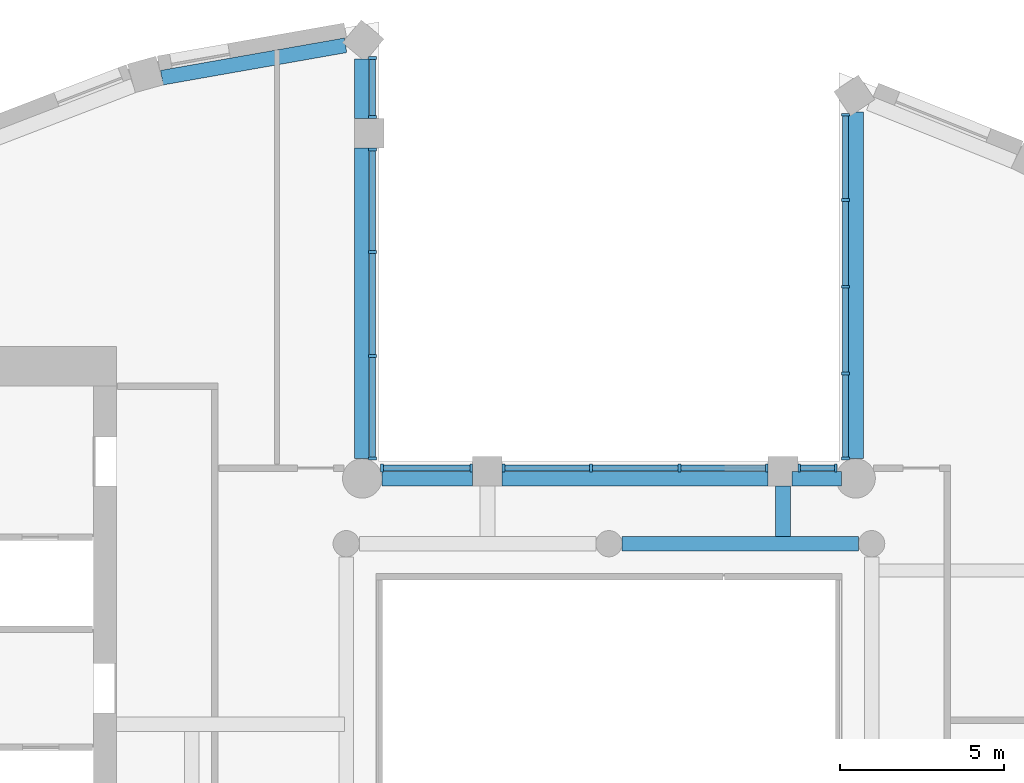
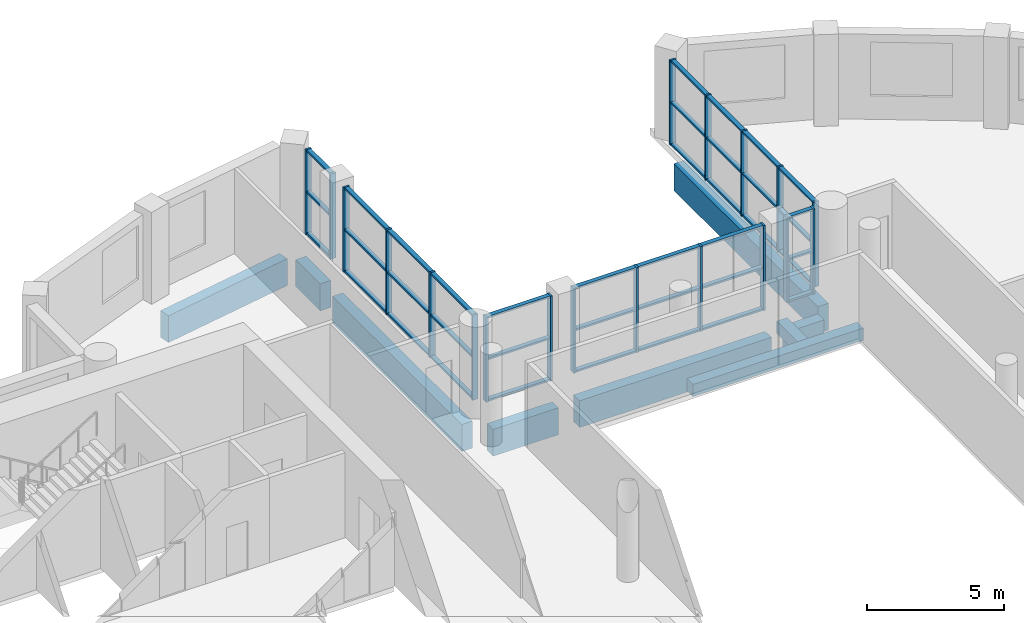
# One storey, part 2 of 15: 58 members, 9 beams, 6 elements without a shape of their own.
"""IFC4 building model written with IfcOpenShell, lengths in metres."""

from ifc_helpers import new_model, si_unit, direction, frame, origin, origin_2d, place, context, subcontext, project, spatial, rectangle, extrude, material, material_profile, profile_set, type_object, element, aggregate, save


model = new_model("IFC4")

# Units and contexts
model_context = context("Model", 3, precision=1e-05, world=origin(), true_north=direction((0.0, 1.0)))
body_context = subcontext(model_context, "Body", "Model", "MODEL_VIEW")
ifc_project = project(units=[si_unit("LENGTHUNIT", "METRE"), si_unit("AREAUNIT", "SQUARE_METRE"), si_unit("VOLUMEUNIT", "CUBIC_METRE"), si_unit("PLANEANGLEUNIT", "RADIAN"), si_unit("MASSUNIT", "GRAM", prefix="KILO")], contexts=[model_context])

# Site, building, storey
site_placement = place(None, origin())
site = spatial("IfcSite", under=ifc_project, at=site_placement, CompositionType="ELEMENT")
building_placement = place(site_placement, origin())
building = spatial("IfcBuilding", under=site, at=building_placement, Name="Cypress Arch Tower", CompositionType="ELEMENT")
storey_placement = place(building_placement, frame((0.0, 0.0, 313.10009765625)))
storey = spatial("IfcBuildingStorey", under=building, at=storey_placement, Name="L71", CompositionType="ELEMENT", Elevation=313.10009765625)

# Beams
ifc_material_1 = material(Name="Concrete C50/60", Category="concrete")
ifc_material_profile_1 = material_profile(ifc_material_1, rectangle(XDim=0.449951171875, YDim=0.550048828125, at=origin_2d()), Name="RC 450x550")
ifc_profile_set_1 = profile_set([ifc_material_profile_1], Name="Concrete C50/60")
beam_type_1 = type_object("IfcBeamType", Name="Floor beam RC 450x550 Concrete C50/60", PredefinedType="BEAM", material=ifc_profile_set_1)
beam_1_placement = place(storey_placement, frame((1.39990234375, 10.0, -0.5751953125), z_axis=(1.0, 0.0, 0.0), x_axis=(0.0, 1.0, 0.0)))
element("IfcBeam", 1, at=beam_1_placement, inside=storey, type_object=beam_type_1, Name="Floor beam L71 RB008", PredefinedType="BEAM", context=body_context, shape_type="SweptSolid", body=[
    extrude(rectangle(XDim=0.449951171875, YDim=0.550048828125, at=origin_2d()), origin(), (0.0, 0.0, 1.0), 7.2001953125),
])
beam_2_placement = place(storey_placement, frame((6.300048828125, 10.22509765625, -0.5751953125), z_axis=(0.0, 1.0, 0.0), x_axis=(-1.0, 0.0, 0.0)))
element("IfcBeam", 2, at=beam_2_placement, inside=storey, type_object=beam_type_1, Name="Floor beam L71 FB013", PredefinedType="BEAM", context=body_context, shape_type="SweptSolid", body=[
    extrude(rectangle(XDim=0.449951171875, YDim=0.550048828125, at=origin_2d()), origin(), (0.0, 0.0, 1.0), 1.52490234375),
])

# Curtain wall, members
ifc_material_2 = material(Name="Anodised aluminium, bronze finish, clear laminated double glazing", Category="aluminium")
curtain_wall_type = type_object("IfcCurtainWallType", Name="Curtain wall CW7 slot glazing", PredefinedType="NOTDEFINED", material=ifc_material_2)
curtain_wall_1_placement = place(storey_placement, origin())
curtain_wall_1 = element("IfcCurtainWall", 3, at=curtain_wall_1_placement, inside=storey, type_object=curtain_wall_type, Name="Curtain wall L71 slot C00.0", PredefinedType="NOTDEFINED")
ifc_material_3 = material(Name="Anodised aluminium, bronze finish", Category="aluminium")
ifc_material_profile_2 = material_profile(ifc_material_3, rectangle(XDim=0.239990234375, YDim=0.0849609375, at=origin_2d()), Name="Mullion 85x240")
ifc_profile_set_2 = profile_set([ifc_material_profile_2], Name="Anodised aluminium, bronze finish")
member_type_1 = type_object("IfcMemberType", Name="Mullion CW7 85x240", PredefinedType="MULLION", material=ifc_profile_set_2)
member_1_placement = place(storey_placement, frame((8.199951171875, 23.060302734375, 0.0), z_axis=(0.0, 0.0, 1.0), x_axis=(1.0, 0.0, 0.0)))
member_1 = element("IfcMember", 4, at=member_1_placement, type_object=member_type_1, Name="CW7 mullion 1", PredefinedType="MULLION", context=body_context, shape_type="SweptSolid", body=[
    extrude(rectangle(XDim=0.239990234375, YDim=0.0849609375, at=origin_2d()), origin(), (0.0, 0.0, 1.0), 3.7998046875),
])
member_2_placement = place(storey_placement, frame((8.199951171875, 20.464111328125, 0.0), z_axis=(0.0, 0.0, 1.0), x_axis=(1.0, 0.0, 0.0)))
member_2 = element("IfcMember", 5, at=member_2_placement, type_object=member_type_1, Name="CW7 mullion 2", PredefinedType="MULLION", context=body_context, shape_type="SweptSolid", body=[
    extrude(rectangle(XDim=0.239990234375, YDim=0.0849609375, at=origin_2d()), origin(), (0.0, 0.0, 1.0), 3.7998046875),
])
member_3_placement = place(storey_placement, frame((8.199951171875, 17.82568359375, 0.0), z_axis=(0.0, 0.0, 1.0), x_axis=(1.0, 0.0, 0.0)))
member_3 = element("IfcMember", 6, at=member_3_placement, type_object=member_type_1, Name="CW7 mullion 3", PredefinedType="MULLION", context=body_context, shape_type="SweptSolid", body=[
    extrude(rectangle(XDim=0.239990234375, YDim=0.0849609375, at=origin_2d()), origin(), (0.0, 0.0, 1.0), 3.7998046875),
])
member_4_placement = place(storey_placement, frame((8.199951171875, 15.18701171875, 0.0), z_axis=(0.0, 0.0, 1.0), x_axis=(1.0, 0.0, 0.0)))
member_4 = element("IfcMember", 7, at=member_4_placement, type_object=member_type_1, Name="CW7 mullion 4", PredefinedType="MULLION", context=body_context, shape_type="SweptSolid", body=[
    extrude(rectangle(XDim=0.239990234375, YDim=0.0849609375, at=origin_2d()), origin(), (0.0, 0.0, 1.0), 3.7998046875),
])
member_5_placement = place(storey_placement, frame((8.199951171875, 12.591064453125, 0.0), z_axis=(0.0, 0.0, 1.0), x_axis=(1.0, 0.0, 0.0)))
member_5 = element("IfcMember", 8, at=member_5_placement, type_object=member_type_1, Name="CW7 mullion 5", PredefinedType="MULLION", context=body_context, shape_type="SweptSolid", body=[
    extrude(rectangle(XDim=0.239990234375, YDim=0.0849609375, at=origin_2d()), origin(), (0.0, 0.0, 1.0), 3.7998046875),
])

curtain_wall_2_placement = place(storey_placement, origin())
curtain_wall_2 = element("IfcCurtainWall", 9, at=curtain_wall_2_placement, inside=storey, type_object=curtain_wall_type, Name="Curtain wall L71 slot C01.0", PredefinedType="NOTDEFINED")
member_6_placement = place(storey_placement, frame((7.908935546875, 12.300048828125, 0.0), z_axis=(0.0, 0.0, 1.0), x_axis=(0.0, -1.0, 0.0)))
member_6 = element("IfcMember", 10, at=member_6_placement, type_object=member_type_1, Name="CW7 mullion 1", PredefinedType="MULLION", context=body_context, shape_type="SweptSolid", body=[
    extrude(rectangle(XDim=0.239990234375, YDim=0.0849609375, at=origin_2d()), origin(), (0.0, 0.0, 1.0), 3.7998046875),
])
member_7_placement = place(storey_placement, frame((6.79248046875, 12.300048828125, 0.0), z_axis=(0.0, 0.0, 1.0), x_axis=(0.0, -1.0, 0.0)))
member_7 = element("IfcMember", 11, at=member_7_placement, type_object=member_type_1, Name="CW7 mullion 2", PredefinedType="MULLION", context=body_context, shape_type="SweptSolid", body=[
    extrude(rectangle(XDim=0.239990234375, YDim=0.0849609375, at=origin_2d()), origin(), (0.0, 0.0, 1.0), 3.7998046875),
])

curtain_wall_3_placement = place(storey_placement, origin())
curtain_wall_3 = element("IfcCurtainWall", 12, at=curtain_wall_3_placement, inside=storey, type_object=curtain_wall_type, Name="Curtain wall L71 slot C01.1", PredefinedType="NOTDEFINED")
member_8_placement = place(storey_placement, frame((5.8076171875, 12.300048828125, 0.0), z_axis=(0.0, 0.0, 1.0), x_axis=(0.0, -1.0, 0.0)))
member_8 = element("IfcMember", 13, at=member_8_placement, type_object=member_type_1, Name="CW7 mullion 1", PredefinedType="MULLION", context=body_context, shape_type="SweptSolid", body=[
    extrude(rectangle(XDim=0.239990234375, YDim=0.0849609375, at=origin_2d()), origin(), (0.0, 0.0, 1.0), 3.7998046875),
])
member_9_placement = place(storey_placement, frame((3.14990234375, 12.300048828125, 0.0), z_axis=(0.0, 0.0, 1.0), x_axis=(0.0, -1.0, 0.0)))
member_9 = element("IfcMember", 14, at=member_9_placement, type_object=member_type_1, Name="CW7 mullion 2", PredefinedType="MULLION", context=body_context, shape_type="SweptSolid", body=[
    extrude(rectangle(XDim=0.239990234375, YDim=0.0849609375, at=origin_2d()), origin(), (0.0, 0.0, 1.0), 3.7998046875),
])
member_10_placement = place(storey_placement, frame((0.449951171875, 12.300048828125, 0.0), z_axis=(0.0, 0.0, 1.0), x_axis=(0.0, -1.0, 0.0)))
member_10 = element("IfcMember", 15, at=member_10_placement, type_object=member_type_1, Name="CW7 mullion 3", PredefinedType="MULLION", context=body_context, shape_type="SweptSolid", body=[
    extrude(rectangle(XDim=0.239990234375, YDim=0.0849609375, at=origin_2d()), origin(), (0.0, 0.0, 1.0), 3.7998046875),
])
member_11_placement = place(storey_placement, frame((-2.20751953125, 12.300048828125, 0.0), z_axis=(0.0, 0.0, 1.0), x_axis=(0.0, -1.0, 0.0)))
member_11 = element("IfcMember", 16, at=member_11_placement, type_object=member_type_1, Name="CW7 mullion 4", PredefinedType="MULLION", context=body_context, shape_type="SweptSolid", body=[
    extrude(rectangle(XDim=0.239990234375, YDim=0.0849609375, at=origin_2d()), origin(), (0.0, 0.0, 1.0), 3.7998046875),
])

curtain_wall_4_placement = place(storey_placement, origin())
curtain_wall_4 = element("IfcCurtainWall", 17, at=curtain_wall_4_placement, inside=storey, type_object=curtain_wall_type, Name="Curtain wall L71 slot C01.2", PredefinedType="NOTDEFINED")
member_12_placement = place(storey_placement, frame((-3.1923828125, 12.300048828125, 0.0), z_axis=(0.0, 0.0, 1.0), x_axis=(0.0, -1.0, 0.0)))
member_12 = element("IfcMember", 18, at=member_12_placement, type_object=member_type_1, Name="CW7 mullion 1", PredefinedType="MULLION", context=body_context, shape_type="SweptSolid", body=[
    extrude(rectangle(XDim=0.239990234375, YDim=0.0849609375, at=origin_2d()), origin(), (0.0, 0.0, 1.0), 3.7998046875),
])
member_13_placement = place(storey_placement, frame((-5.908935546875, 12.300048828125, 0.0), z_axis=(0.0, 0.0, 1.0), x_axis=(0.0, -1.0, 0.0)))
member_13 = element("IfcMember", 19, at=member_13_placement, type_object=member_type_1, Name="CW7 mullion 2", PredefinedType="MULLION", context=body_context, shape_type="SweptSolid", body=[
    extrude(rectangle(XDim=0.239990234375, YDim=0.0849609375, at=origin_2d()), origin(), (0.0, 0.0, 1.0), 3.7998046875),
])

curtain_wall_5_placement = place(storey_placement, origin())
curtain_wall_5 = element("IfcCurtainWall", 20, at=curtain_wall_5_placement, inside=storey, type_object=curtain_wall_type, Name="Curtain wall L71 slot C02.0", PredefinedType="NOTDEFINED")
member_14_placement = place(storey_placement, frame((-6.199951171875, 12.591064453125, 0.0), z_axis=(0.0, 0.0, 1.0), x_axis=(-1.0, 0.0, 0.0)))
member_14 = element("IfcMember", 21, at=member_14_placement, type_object=member_type_1, Name="CW7 mullion 1", PredefinedType="MULLION", context=body_context, shape_type="SweptSolid", body=[
    extrude(rectangle(XDim=0.239990234375, YDim=0.0849609375, at=origin_2d()), origin(), (0.0, 0.0, 1.0), 3.7998046875),
])
member_15_placement = place(storey_placement, frame((-6.199951171875, 15.715576171875, 0.0), z_axis=(0.0, 0.0, 1.0), x_axis=(-1.0, 0.0, 0.0)))
member_15 = element("IfcMember", 22, at=member_15_placement, type_object=member_type_1, Name="CW7 mullion 2", PredefinedType="MULLION", context=body_context, shape_type="SweptSolid", body=[
    extrude(rectangle(XDim=0.239990234375, YDim=0.0849609375, at=origin_2d()), origin(), (0.0, 0.0, 1.0), 3.7998046875),
])
member_16_placement = place(storey_placement, frame((-6.199951171875, 18.8828125, 0.0), z_axis=(0.0, 0.0, 1.0), x_axis=(-1.0, 0.0, 0.0)))
member_16 = element("IfcMember", 23, at=member_16_placement, type_object=member_type_1, Name="CW7 mullion 3", PredefinedType="MULLION", context=body_context, shape_type="SweptSolid", body=[
    extrude(rectangle(XDim=0.239990234375, YDim=0.0849609375, at=origin_2d()), origin(), (0.0, 0.0, 1.0), 3.7998046875),
])
member_17_placement = place(storey_placement, frame((-6.199951171875, 22.007568359375, 0.0), z_axis=(0.0, 0.0, 1.0), x_axis=(-1.0, 0.0, 0.0)))
member_17 = element("IfcMember", 24, at=member_17_placement, type_object=member_type_1, Name="CW7 mullion 4", PredefinedType="MULLION", context=body_context, shape_type="SweptSolid", body=[
    extrude(rectangle(XDim=0.239990234375, YDim=0.0849609375, at=origin_2d()), origin(), (0.0, 0.0, 1.0), 3.7998046875),
])

curtain_wall_6_placement = place(storey_placement, origin())
curtain_wall_6 = element("IfcCurtainWall", 25, at=curtain_wall_6_placement, inside=storey, type_object=curtain_wall_type, Name="Curtain wall L71 slot C02.1", PredefinedType="NOTDEFINED")
member_18_placement = place(storey_placement, frame((-6.199951171875, 22.992431640625, 0.0), z_axis=(0.0, 0.0, 1.0), x_axis=(-1.0, 0.0, 0.0)))
member_18 = element("IfcMember", 26, at=member_18_placement, type_object=member_type_1, Name="CW7 mullion 1", PredefinedType="MULLION", context=body_context, shape_type="SweptSolid", body=[
    extrude(rectangle(XDim=0.239990234375, YDim=0.0849609375, at=origin_2d()), origin(), (0.0, 0.0, 1.0), 3.7998046875),
])
member_19_placement = place(storey_placement, frame((-6.199951171875, 24.789794921875, 0.0), z_axis=(0.0, 0.0, 1.0), x_axis=(-1.0, 0.0, 0.0)))
member_19 = element("IfcMember", 27, at=member_19_placement, type_object=member_type_1, Name="CW7 mullion 2", PredefinedType="MULLION", context=body_context, shape_type="SweptSolid", body=[
    extrude(rectangle(XDim=0.239990234375, YDim=0.0849609375, at=origin_2d()), origin(), (0.0, 0.0, 1.0), 3.7998046875),
])

# Beams
ifc_material_4 = material(Name="Concrete C50/60", Category="concrete")
ifc_material_profile_3 = material_profile(ifc_material_4, rectangle(XDim=0.449951171875, YDim=1.199951171875, at=origin_2d()), Name="RC 450x1200")
ifc_profile_set_3 = profile_set([ifc_material_profile_3], Name="Concrete C50/60")
beam_type_2 = type_object("IfcBeamType", Name="Spandrel beam RC 450x1200 Concrete C50/60", PredefinedType="SPANDREL", material=ifc_profile_set_3)
beam_3_placement = place(storey_placement, frame((8.52490234375, 23.138427734375, -1.550048828125), z_axis=(0.0, -1.0, 0.0), x_axis=(1.0, 0.0, 0.0)))
element("IfcBeam", 28, at=beam_3_placement, inside=storey, type_object=beam_type_2, Name="Spandrel beam L71 BC00-0", PredefinedType="SPANDREL", context=body_context, shape_type="SweptSolid", body=[
    extrude(rectangle(XDim=0.449951171875, YDim=1.199951171875, at=origin_2d()), origin(), (0.0, 0.0, 1.0), 10.55078125),
])
beam_4_placement = place(storey_placement, frame((8.081298828125, 11.97509765625, -1.550048828125), z_axis=(-1.0, 0.0, 0.0), x_axis=(0.0, -1.0, 0.0)))
element("IfcBeam", 29, at=beam_4_placement, inside=storey, type_object=beam_type_2, Name="Spandrel beam L71 BC01-0", PredefinedType="SPANDREL", context=body_context, shape_type="SweptSolid", body=[
    extrude(rectangle(XDim=0.449951171875, YDim=1.199951171875, at=origin_2d()), origin(), (0.0, 0.0, 1.0), 1.5),
])
beam_5_placement = place(storey_placement, frame((5.85009765625, 11.97509765625, -1.550048828125), z_axis=(-1.0, 0.0, 0.0), x_axis=(0.0, -1.0, 0.0)))
element("IfcBeam", 30, at=beam_5_placement, inside=storey, type_object=beam_type_2, Name="Spandrel beam L71 BC01-1", PredefinedType="SPANDREL", context=body_context, shape_type="SweptSolid", body=[
    extrude(rectangle(XDim=0.449951171875, YDim=1.199951171875, at=origin_2d()), origin(), (0.0, 0.0, 1.0), 8.10009765625),
])
beam_6_placement = place(storey_placement, frame((-3.14990234375, 11.97509765625, -1.550048828125), z_axis=(-1.0, 0.0, 0.0), x_axis=(0.0, -1.0, 0.0)))
element("IfcBeam", 31, at=beam_6_placement, inside=storey, type_object=beam_type_2, Name="Spandrel beam L71 BC01-2", PredefinedType="SPANDREL", context=body_context, shape_type="SweptSolid", body=[
    extrude(rectangle(XDim=0.449951171875, YDim=1.199951171875, at=origin_2d()), origin(), (0.0, 0.0, 1.0), 2.762451171875),
])
beam_7_placement = place(storey_placement, frame((-6.52490234375, 12.587646484375, -1.550048828125), z_axis=(0.0, 1.0, 0.0), x_axis=(-1.0, 0.0, 0.0)))
element("IfcBeam", 32, at=beam_7_placement, inside=storey, type_object=beam_type_2, Name="Spandrel beam L71 BC02-0", PredefinedType="SPANDREL", context=body_context, shape_type="SweptSolid", body=[
    extrude(rectangle(XDim=0.449951171875, YDim=1.199951171875, at=origin_2d()), origin(), (0.0, 0.0, 1.0), 9.46240234375),
])
beam_8_placement = place(storey_placement, frame((-6.52490234375, 22.949951171875, -1.550048828125), z_axis=(0.0, 1.0, 0.0), x_axis=(-1.0, 0.0, 0.0)))
element("IfcBeam", 33, at=beam_8_placement, inside=storey, type_object=beam_type_2, Name="Spandrel beam L71 BC02-1", PredefinedType="SPANDREL", context=body_context, shape_type="SweptSolid", body=[
    extrude(rectangle(XDim=0.449951171875, YDim=1.199951171875, at=origin_2d()), origin(), (0.0, 0.0, 1.0), 1.810302734375),
])
beam_9_placement = place(storey_placement, frame((-7.021484375, 25.1767578125, -1.550048828125), z_axis=(-0.984798704294, -0.173699487682, 0.0), x_axis=(0.173699487682, -0.984798704294, 0.0)))
element("IfcBeam", 34, at=beam_9_placement, inside=storey, type_object=beam_type_2, Name="Spandrel beam L71 BC03-0", PredefinedType="SPANDREL", context=body_context, shape_type="SweptSolid", body=[
    extrude(rectangle(XDim=0.449951171875, YDim=1.199951171875, at=origin_2d()), origin(), (0.0, 0.0, 1.0), 5.678466796875),
])

# Member
ifc_material_5 = material(Name="Anodised aluminium, bronze finish", Category="aluminium")
ifc_material_profile_4 = material_profile(ifc_material_5, rectangle(XDim=0.179931640625, YDim=0.0849609375, at=origin_2d()), Name="Transom 85x180")
ifc_profile_set_4 = profile_set([ifc_material_profile_4], Name="Anodised aluminium, bronze finish")
member_type_2 = type_object("IfcMemberType", Name="Transom CW7 85x180", PredefinedType="USERDEFINED", material=ifc_profile_set_4)
member_20_placement = place(storey_placement, frame((8.199951171875, 23.017578125, 0.04248046875), z_axis=(0.0, -1.0, 0.0), x_axis=(1.0, 0.0, 0.0)))
member_20 = element("IfcMember", 35, at=member_20_placement, type_object=member_type_2, Name="CW7 transom 1.1", ObjectType="TRANSOM", PredefinedType="USERDEFINED", context=body_context, shape_type="SweptSolid", body=[
    extrude(rectangle(XDim=0.179931640625, YDim=0.0849609375, at=origin_2d()), origin(), (0.0, 0.0, 1.0), 2.510986328125),
])

member_21_placement = place(storey_placement, frame((8.199951171875, 23.017578125, 1.89990234375), z_axis=(0.0, -1.0, 0.0), x_axis=(1.0, 0.0, 0.0)))
member_21 = element("IfcMember", 36, at=member_21_placement, type_object=member_type_2, Name="CW7 transom 1.2", ObjectType="TRANSOM", PredefinedType="USERDEFINED", context=body_context, shape_type="SweptSolid", body=[
    extrude(rectangle(XDim=0.179931640625, YDim=0.0849609375, at=origin_2d()), origin(), (0.0, 0.0, 1.0), 2.510986328125),
])

member_22_placement = place(storey_placement, frame((8.199951171875, 23.017578125, 3.75732421875), z_axis=(0.0, -1.0, 0.0), x_axis=(1.0, 0.0, 0.0)))
member_22 = element("IfcMember", 37, at=member_22_placement, type_object=member_type_2, Name="CW7 transom 1.3", ObjectType="TRANSOM", PredefinedType="USERDEFINED", context=body_context, shape_type="SweptSolid", body=[
    extrude(rectangle(XDim=0.179931640625, YDim=0.0849609375, at=origin_2d()), origin(), (0.0, 0.0, 1.0), 2.510986328125),
])

member_23_placement = place(storey_placement, frame((8.199951171875, 20.421630859375, 0.04248046875), z_axis=(0.0, -1.0, 0.0), x_axis=(1.0, 0.0, 0.0)))
member_23 = element("IfcMember", 38, at=member_23_placement, type_object=member_type_2, Name="CW7 transom 2.1", ObjectType="TRANSOM", PredefinedType="USERDEFINED", context=body_context, shape_type="SweptSolid", body=[
    extrude(rectangle(XDim=0.179931640625, YDim=0.0849609375, at=origin_2d()), origin(), (0.0, 0.0, 1.0), 2.553466796875),
])

member_24_placement = place(storey_placement, frame((8.199951171875, 20.421630859375, 1.89990234375), z_axis=(0.0, -1.0, 0.0), x_axis=(1.0, 0.0, 0.0)))
member_24 = element("IfcMember", 39, at=member_24_placement, type_object=member_type_2, Name="CW7 transom 2.2", ObjectType="TRANSOM", PredefinedType="USERDEFINED", context=body_context, shape_type="SweptSolid", body=[
    extrude(rectangle(XDim=0.179931640625, YDim=0.0849609375, at=origin_2d()), origin(), (0.0, 0.0, 1.0), 2.553466796875),
])

member_25_placement = place(storey_placement, frame((8.199951171875, 20.421630859375, 3.75732421875), z_axis=(0.0, -1.0, 0.0), x_axis=(1.0, 0.0, 0.0)))
member_25 = element("IfcMember", 40, at=member_25_placement, type_object=member_type_2, Name="CW7 transom 2.3", ObjectType="TRANSOM", PredefinedType="USERDEFINED", context=body_context, shape_type="SweptSolid", body=[
    extrude(rectangle(XDim=0.179931640625, YDim=0.0849609375, at=origin_2d()), origin(), (0.0, 0.0, 1.0), 2.553466796875),
])

member_26_placement = place(storey_placement, frame((8.199951171875, 17.782958984375, 0.04248046875), z_axis=(0.0, -1.0, 0.0), x_axis=(1.0, 0.0, 0.0)))
member_26 = element("IfcMember", 41, at=member_26_placement, type_object=member_type_2, Name="CW7 transom 3.1", ObjectType="TRANSOM", PredefinedType="USERDEFINED", context=body_context, shape_type="SweptSolid", body=[
    extrude(rectangle(XDim=0.179931640625, YDim=0.0849609375, at=origin_2d()), origin(), (0.0, 0.0, 1.0), 2.553466796875),
])

member_27_placement = place(storey_placement, frame((8.199951171875, 17.782958984375, 1.89990234375), z_axis=(0.0, -1.0, 0.0), x_axis=(1.0, 0.0, 0.0)))
member_27 = element("IfcMember", 42, at=member_27_placement, type_object=member_type_2, Name="CW7 transom 3.2", ObjectType="TRANSOM", PredefinedType="USERDEFINED", context=body_context, shape_type="SweptSolid", body=[
    extrude(rectangle(XDim=0.179931640625, YDim=0.0849609375, at=origin_2d()), origin(), (0.0, 0.0, 1.0), 2.553466796875),
])

member_28_placement = place(storey_placement, frame((8.199951171875, 17.782958984375, 3.75732421875), z_axis=(0.0, -1.0, 0.0), x_axis=(1.0, 0.0, 0.0)))
member_28 = element("IfcMember", 43, at=member_28_placement, type_object=member_type_2, Name="CW7 transom 3.3", ObjectType="TRANSOM", PredefinedType="USERDEFINED", context=body_context, shape_type="SweptSolid", body=[
    extrude(rectangle(XDim=0.179931640625, YDim=0.0849609375, at=origin_2d()), origin(), (0.0, 0.0, 1.0), 2.553466796875),
])

member_29_placement = place(storey_placement, frame((8.199951171875, 15.14453125, 0.04248046875), z_axis=(0.0, -1.0, 0.0), x_axis=(1.0, 0.0, 0.0)))
member_29 = element("IfcMember", 44, at=member_29_placement, type_object=member_type_2, Name="CW7 transom 4.1", ObjectType="TRANSOM", PredefinedType="USERDEFINED", context=body_context, shape_type="SweptSolid", body=[
    extrude(rectangle(XDim=0.179931640625, YDim=0.0849609375, at=origin_2d()), origin(), (0.0, 0.0, 1.0), 2.510986328125),
])

member_30_placement = place(storey_placement, frame((8.199951171875, 15.14453125, 1.89990234375), z_axis=(0.0, -1.0, 0.0), x_axis=(1.0, 0.0, 0.0)))
member_30 = element("IfcMember", 45, at=member_30_placement, type_object=member_type_2, Name="CW7 transom 4.2", ObjectType="TRANSOM", PredefinedType="USERDEFINED", context=body_context, shape_type="SweptSolid", body=[
    extrude(rectangle(XDim=0.179931640625, YDim=0.0849609375, at=origin_2d()), origin(), (0.0, 0.0, 1.0), 2.510986328125),
])

member_31_placement = place(storey_placement, frame((8.199951171875, 15.14453125, 3.75732421875), z_axis=(0.0, -1.0, 0.0), x_axis=(1.0, 0.0, 0.0)))
member_31 = element("IfcMember", 46, at=member_31_placement, type_object=member_type_2, Name="CW7 transom 4.3", ObjectType="TRANSOM", PredefinedType="USERDEFINED", context=body_context, shape_type="SweptSolid", body=[
    extrude(rectangle(XDim=0.179931640625, YDim=0.0849609375, at=origin_2d()), origin(), (0.0, 0.0, 1.0), 2.510986328125),
])

aggregate(curtain_wall_1, [member_1, member_2, member_3, member_4, member_5, member_20, member_21, member_22, member_23, member_24, member_25, member_26, member_27, member_28, member_29, member_30, member_31])

member_32_placement = place(storey_placement, frame((7.866455078125, 12.300048828125, 0.04248046875), z_axis=(-1.0, 0.0, 0.0), x_axis=(0.0, -1.0, 0.0)))
member_32 = element("IfcMember", 47, at=member_32_placement, type_object=member_type_2, Name="CW7 transom 1.1", ObjectType="TRANSOM", PredefinedType="USERDEFINED", context=body_context, shape_type="SweptSolid", body=[
    extrude(rectangle(XDim=0.179931640625, YDim=0.0849609375, at=origin_2d()), origin(), (0.0, 0.0, 1.0), 1.031494140625),
])

member_33_placement = place(storey_placement, frame((7.866455078125, 12.300048828125, 1.89990234375), z_axis=(-1.0, 0.0, 0.0), x_axis=(0.0, -1.0, 0.0)))
member_33 = element("IfcMember", 48, at=member_33_placement, type_object=member_type_2, Name="CW7 transom 1.2", ObjectType="TRANSOM", PredefinedType="USERDEFINED", context=body_context, shape_type="SweptSolid", body=[
    extrude(rectangle(XDim=0.179931640625, YDim=0.0849609375, at=origin_2d()), origin(), (0.0, 0.0, 1.0), 1.031494140625),
])

member_34_placement = place(storey_placement, frame((7.866455078125, 12.300048828125, 3.75732421875), z_axis=(-1.0, 0.0, 0.0), x_axis=(0.0, -1.0, 0.0)))
member_34 = element("IfcMember", 49, at=member_34_placement, type_object=member_type_2, Name="CW7 transom 1.3", ObjectType="TRANSOM", PredefinedType="USERDEFINED", context=body_context, shape_type="SweptSolid", body=[
    extrude(rectangle(XDim=0.179931640625, YDim=0.0849609375, at=origin_2d()), origin(), (0.0, 0.0, 1.0), 1.031494140625),
])

aggregate(curtain_wall_2, [member_6, member_7, member_32, member_33, member_34])

member_35_placement = place(storey_placement, frame((5.764892578125, 12.300048828125, 0.04248046875), z_axis=(-1.0, 0.0, 0.0), x_axis=(0.0, -1.0, 0.0)))
member_35 = element("IfcMember", 50, at=member_35_placement, type_object=member_type_2, Name="CW7 transom 1.1", ObjectType="TRANSOM", PredefinedType="USERDEFINED", context=body_context, shape_type="SweptSolid", body=[
    extrude(rectangle(XDim=0.179931640625, YDim=0.0849609375, at=origin_2d()), origin(), (0.0, 0.0, 1.0), 2.572509765625),
])

member_36_placement = place(storey_placement, frame((5.764892578125, 12.300048828125, 1.89990234375), z_axis=(-1.0, 0.0, 0.0), x_axis=(0.0, -1.0, 0.0)))
member_36 = element("IfcMember", 51, at=member_36_placement, type_object=member_type_2, Name="CW7 transom 1.2", ObjectType="TRANSOM", PredefinedType="USERDEFINED", context=body_context, shape_type="SweptSolid", body=[
    extrude(rectangle(XDim=0.179931640625, YDim=0.0849609375, at=origin_2d()), origin(), (0.0, 0.0, 1.0), 2.572509765625),
])

member_37_placement = place(storey_placement, frame((5.764892578125, 12.300048828125, 3.75732421875), z_axis=(-1.0, 0.0, 0.0), x_axis=(0.0, -1.0, 0.0)))
member_37 = element("IfcMember", 52, at=member_37_placement, type_object=member_type_2, Name="CW7 transom 1.3", ObjectType="TRANSOM", PredefinedType="USERDEFINED", context=body_context, shape_type="SweptSolid", body=[
    extrude(rectangle(XDim=0.179931640625, YDim=0.0849609375, at=origin_2d()), origin(), (0.0, 0.0, 1.0), 2.572509765625),
])

member_38_placement = place(storey_placement, frame((3.107421875, 12.300048828125, 0.04248046875), z_axis=(-1.0, 0.0, 0.0), x_axis=(0.0, -1.0, 0.0)))
member_38 = element("IfcMember", 53, at=member_38_placement, type_object=member_type_2, Name="CW7 transom 2.1", ObjectType="TRANSOM", PredefinedType="USERDEFINED", context=body_context, shape_type="SweptSolid", body=[
    extrude(rectangle(XDim=0.179931640625, YDim=0.0849609375, at=origin_2d()), origin(), (0.0, 0.0, 1.0), 2.614990234375),
])

member_39_placement = place(storey_placement, frame((3.107421875, 12.300048828125, 1.89990234375), z_axis=(-1.0, 0.0, 0.0), x_axis=(0.0, -1.0, 0.0)))
member_39 = element("IfcMember", 54, at=member_39_placement, type_object=member_type_2, Name="CW7 transom 2.2", ObjectType="TRANSOM", PredefinedType="USERDEFINED", context=body_context, shape_type="SweptSolid", body=[
    extrude(rectangle(XDim=0.179931640625, YDim=0.0849609375, at=origin_2d()), origin(), (0.0, 0.0, 1.0), 2.614990234375),
])

member_40_placement = place(storey_placement, frame((3.107421875, 12.300048828125, 3.75732421875), z_axis=(-1.0, 0.0, 0.0), x_axis=(0.0, -1.0, 0.0)))
member_40 = element("IfcMember", 55, at=member_40_placement, type_object=member_type_2, Name="CW7 transom 2.3", ObjectType="TRANSOM", PredefinedType="USERDEFINED", context=body_context, shape_type="SweptSolid", body=[
    extrude(rectangle(XDim=0.179931640625, YDim=0.0849609375, at=origin_2d()), origin(), (0.0, 0.0, 1.0), 2.614990234375),
])

member_41_placement = place(storey_placement, frame((0.407470703125, 12.300048828125, 0.04248046875), z_axis=(-1.0, 0.0, 0.0), x_axis=(0.0, -1.0, 0.0)))
member_41 = element("IfcMember", 56, at=member_41_placement, type_object=member_type_2, Name="CW7 transom 3.1", ObjectType="TRANSOM", PredefinedType="USERDEFINED", context=body_context, shape_type="SweptSolid", body=[
    extrude(rectangle(XDim=0.179931640625, YDim=0.0849609375, at=origin_2d()), origin(), (0.0, 0.0, 1.0), 2.572509765625),
])

member_42_placement = place(storey_placement, frame((0.407470703125, 12.300048828125, 1.89990234375), z_axis=(-1.0, 0.0, 0.0), x_axis=(0.0, -1.0, 0.0)))
member_42 = element("IfcMember", 57, at=member_42_placement, type_object=member_type_2, Name="CW7 transom 3.2", ObjectType="TRANSOM", PredefinedType="USERDEFINED", context=body_context, shape_type="SweptSolid", body=[
    extrude(rectangle(XDim=0.179931640625, YDim=0.0849609375, at=origin_2d()), origin(), (0.0, 0.0, 1.0), 2.572509765625),
])

member_43_placement = place(storey_placement, frame((0.407470703125, 12.300048828125, 3.75732421875), z_axis=(-1.0, 0.0, 0.0), x_axis=(0.0, -1.0, 0.0)))
member_43 = element("IfcMember", 58, at=member_43_placement, type_object=member_type_2, Name="CW7 transom 3.3", ObjectType="TRANSOM", PredefinedType="USERDEFINED", context=body_context, shape_type="SweptSolid", body=[
    extrude(rectangle(XDim=0.179931640625, YDim=0.0849609375, at=origin_2d()), origin(), (0.0, 0.0, 1.0), 2.572509765625),
])

aggregate(curtain_wall_3, [member_8, member_9, member_10, member_11, member_35, member_36, member_37, member_38, member_39, member_40, member_41, member_42, member_43])

member_44_placement = place(storey_placement, frame((-3.235107421875, 12.300048828125, 0.04248046875), z_axis=(-1.0, 0.0, 0.0), x_axis=(0.0, -1.0, 0.0)))
member_44 = element("IfcMember", 59, at=member_44_placement, type_object=member_type_2, Name="CW7 transom 1.1", ObjectType="TRANSOM", PredefinedType="USERDEFINED", context=body_context, shape_type="SweptSolid", body=[
    extrude(rectangle(XDim=0.179931640625, YDim=0.0849609375, at=origin_2d()), origin(), (0.0, 0.0, 1.0), 2.63134765625),
])

member_45_placement = place(storey_placement, frame((-3.235107421875, 12.300048828125, 1.89990234375), z_axis=(-1.0, 0.0, 0.0), x_axis=(0.0, -1.0, 0.0)))
member_45 = element("IfcMember", 60, at=member_45_placement, type_object=member_type_2, Name="CW7 transom 1.2", ObjectType="TRANSOM", PredefinedType="USERDEFINED", context=body_context, shape_type="SweptSolid", body=[
    extrude(rectangle(XDim=0.179931640625, YDim=0.0849609375, at=origin_2d()), origin(), (0.0, 0.0, 1.0), 2.63134765625),
])

member_46_placement = place(storey_placement, frame((-3.235107421875, 12.300048828125, 3.75732421875), z_axis=(-1.0, 0.0, 0.0), x_axis=(0.0, -1.0, 0.0)))
member_46 = element("IfcMember", 61, at=member_46_placement, type_object=member_type_2, Name="CW7 transom 1.3", ObjectType="TRANSOM", PredefinedType="USERDEFINED", context=body_context, shape_type="SweptSolid", body=[
    extrude(rectangle(XDim=0.179931640625, YDim=0.0849609375, at=origin_2d()), origin(), (0.0, 0.0, 1.0), 2.63134765625),
])

aggregate(curtain_wall_4, [member_12, member_13, member_44, member_45, member_46])

member_47_placement = place(storey_placement, frame((-6.199951171875, 12.633544921875, 0.04248046875), z_axis=(0.0, 1.0, 0.0), x_axis=(-1.0, 0.0, 0.0)))
member_47 = element("IfcMember", 62, at=member_47_placement, type_object=member_type_2, Name="CW7 transom 1.1", ObjectType="TRANSOM", PredefinedType="USERDEFINED", context=body_context, shape_type="SweptSolid", body=[
    extrude(rectangle(XDim=0.179931640625, YDim=0.0849609375, at=origin_2d()), origin(), (0.0, 0.0, 1.0), 3.03955078125),
])

member_48_placement = place(storey_placement, frame((-6.199951171875, 12.633544921875, 1.89990234375), z_axis=(0.0, 1.0, 0.0), x_axis=(-1.0, 0.0, 0.0)))
member_48 = element("IfcMember", 63, at=member_48_placement, type_object=member_type_2, Name="CW7 transom 1.2", ObjectType="TRANSOM", PredefinedType="USERDEFINED", context=body_context, shape_type="SweptSolid", body=[
    extrude(rectangle(XDim=0.179931640625, YDim=0.0849609375, at=origin_2d()), origin(), (0.0, 0.0, 1.0), 3.03955078125),
])

member_49_placement = place(storey_placement, frame((-6.199951171875, 12.633544921875, 3.75732421875), z_axis=(0.0, 1.0, 0.0), x_axis=(-1.0, 0.0, 0.0)))
member_49 = element("IfcMember", 64, at=member_49_placement, type_object=member_type_2, Name="CW7 transom 1.3", ObjectType="TRANSOM", PredefinedType="USERDEFINED", context=body_context, shape_type="SweptSolid", body=[
    extrude(rectangle(XDim=0.179931640625, YDim=0.0849609375, at=origin_2d()), origin(), (0.0, 0.0, 1.0), 3.03955078125),
])

member_50_placement = place(storey_placement, frame((-6.199951171875, 15.758056640625, 0.04248046875), z_axis=(0.0, 1.0, 0.0), x_axis=(-1.0, 0.0, 0.0)))
member_50 = element("IfcMember", 65, at=member_50_placement, type_object=member_type_2, Name="CW7 transom 2.1", ObjectType="TRANSOM", PredefinedType="USERDEFINED", context=body_context, shape_type="SweptSolid", body=[
    extrude(rectangle(XDim=0.179931640625, YDim=0.0849609375, at=origin_2d()), origin(), (0.0, 0.0, 1.0), 3.082275390625),
])

member_51_placement = place(storey_placement, frame((-6.199951171875, 15.758056640625, 1.89990234375), z_axis=(0.0, 1.0, 0.0), x_axis=(-1.0, 0.0, 0.0)))
member_51 = element("IfcMember", 66, at=member_51_placement, type_object=member_type_2, Name="CW7 transom 2.2", ObjectType="TRANSOM", PredefinedType="USERDEFINED", context=body_context, shape_type="SweptSolid", body=[
    extrude(rectangle(XDim=0.179931640625, YDim=0.0849609375, at=origin_2d()), origin(), (0.0, 0.0, 1.0), 3.082275390625),
])

member_52_placement = place(storey_placement, frame((-6.199951171875, 15.758056640625, 3.75732421875), z_axis=(0.0, 1.0, 0.0), x_axis=(-1.0, 0.0, 0.0)))
member_52 = element("IfcMember", 67, at=member_52_placement, type_object=member_type_2, Name="CW7 transom 2.3", ObjectType="TRANSOM", PredefinedType="USERDEFINED", context=body_context, shape_type="SweptSolid", body=[
    extrude(rectangle(XDim=0.179931640625, YDim=0.0849609375, at=origin_2d()), origin(), (0.0, 0.0, 1.0), 3.082275390625),
])

member_53_placement = place(storey_placement, frame((-6.199951171875, 18.92529296875, 0.04248046875), z_axis=(0.0, 1.0, 0.0), x_axis=(-1.0, 0.0, 0.0)))
member_53 = element("IfcMember", 68, at=member_53_placement, type_object=member_type_2, Name="CW7 transom 3.1", ObjectType="TRANSOM", PredefinedType="USERDEFINED", context=body_context, shape_type="SweptSolid", body=[
    extrude(rectangle(XDim=0.179931640625, YDim=0.0849609375, at=origin_2d()), origin(), (0.0, 0.0, 1.0), 3.039794921875),
])

member_54_placement = place(storey_placement, frame((-6.199951171875, 18.92529296875, 1.89990234375), z_axis=(0.0, 1.0, 0.0), x_axis=(-1.0, 0.0, 0.0)))
member_54 = element("IfcMember", 69, at=member_54_placement, type_object=member_type_2, Name="CW7 transom 3.2", ObjectType="TRANSOM", PredefinedType="USERDEFINED", context=body_context, shape_type="SweptSolid", body=[
    extrude(rectangle(XDim=0.179931640625, YDim=0.0849609375, at=origin_2d()), origin(), (0.0, 0.0, 1.0), 3.039794921875),
])

member_55_placement = place(storey_placement, frame((-6.199951171875, 18.92529296875, 3.75732421875), z_axis=(0.0, 1.0, 0.0), x_axis=(-1.0, 0.0, 0.0)))
member_55 = element("IfcMember", 70, at=member_55_placement, type_object=member_type_2, Name="CW7 transom 3.3", ObjectType="TRANSOM", PredefinedType="USERDEFINED", context=body_context, shape_type="SweptSolid", body=[
    extrude(rectangle(XDim=0.179931640625, YDim=0.0849609375, at=origin_2d()), origin(), (0.0, 0.0, 1.0), 3.039794921875),
])

aggregate(curtain_wall_5, [member_14, member_15, member_16, member_17, member_47, member_48, member_49, member_50, member_51, member_52, member_53, member_54, member_55])

member_56_placement = place(storey_placement, frame((-6.199951171875, 23.034912109375, 0.04248046875), z_axis=(0.0, 1.0, 0.0), x_axis=(-1.0, 0.0, 0.0)))
member_56 = element("IfcMember", 71, at=member_56_placement, type_object=member_type_2, Name="CW7 transom 1.1", ObjectType="TRANSOM", PredefinedType="USERDEFINED", context=body_context, shape_type="SweptSolid", body=[
    extrude(rectangle(XDim=0.179931640625, YDim=0.0849609375, at=origin_2d()), origin(), (0.0, 0.0, 1.0), 1.71240234375),
])

member_57_placement = place(storey_placement, frame((-6.199951171875, 23.034912109375, 1.89990234375), z_axis=(0.0, 1.0, 0.0), x_axis=(-1.0, 0.0, 0.0)))
member_57 = element("IfcMember", 72, at=member_57_placement, type_object=member_type_2, Name="CW7 transom 1.2", ObjectType="TRANSOM", PredefinedType="USERDEFINED", context=body_context, shape_type="SweptSolid", body=[
    extrude(rectangle(XDim=0.179931640625, YDim=0.0849609375, at=origin_2d()), origin(), (0.0, 0.0, 1.0), 1.71240234375),
])

member_58_placement = place(storey_placement, frame((-6.199951171875, 23.034912109375, 3.75732421875), z_axis=(0.0, 1.0, 0.0), x_axis=(-1.0, 0.0, 0.0)))
member_58 = element("IfcMember", 73, at=member_58_placement, type_object=member_type_2, Name="CW7 transom 1.3", ObjectType="TRANSOM", PredefinedType="USERDEFINED", context=body_context, shape_type="SweptSolid", body=[
    extrude(rectangle(XDim=0.179931640625, YDim=0.0849609375, at=origin_2d()), origin(), (0.0, 0.0, 1.0), 1.71240234375),
])

aggregate(curtain_wall_6, [member_18, member_19, member_56, member_57, member_58])

save(model, "model.ifc")
